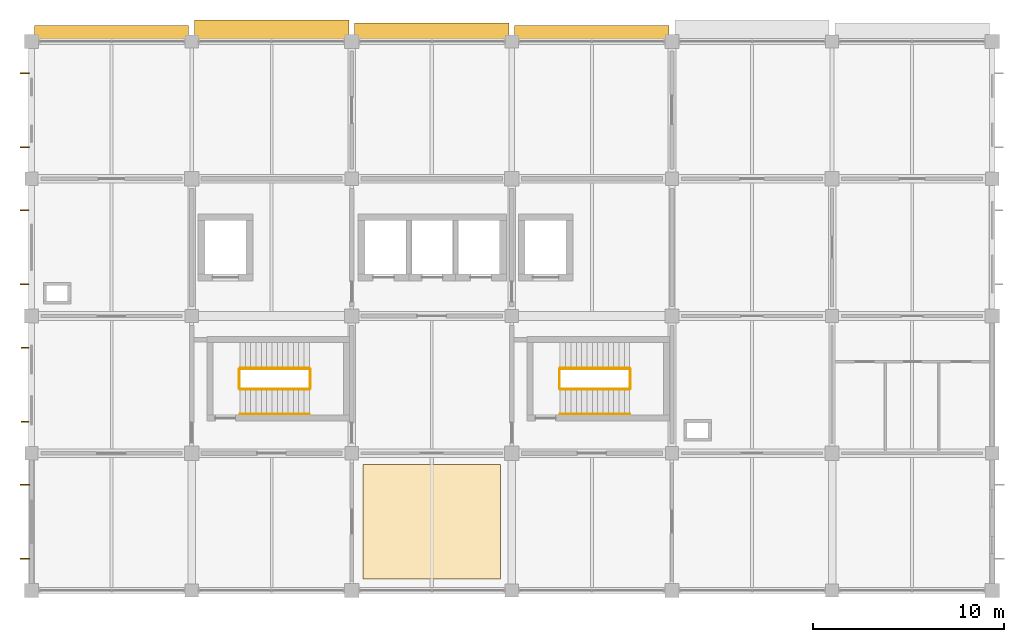
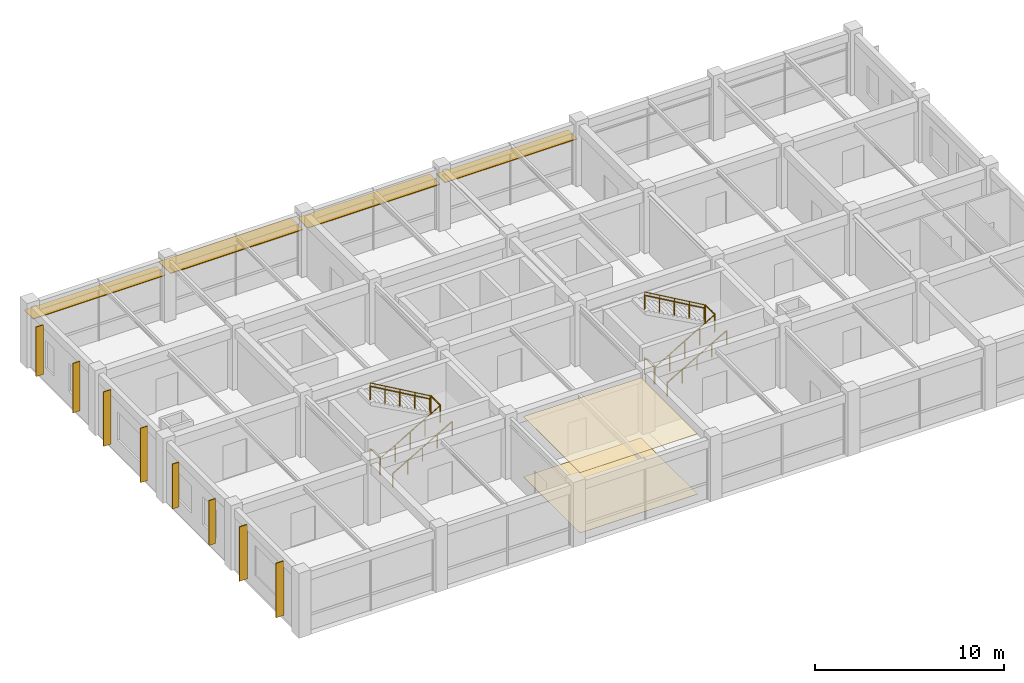
# One storey, part 12 of 13: 12 railings, 12 shading devices, 2 coverings.
"""IFC4 building model written with IfcOpenShell, lengths in metres."""

from ifc_helpers import new_model, si_unit, derived_unit, direction, frame, origin, origin_2d, place, context, subcontext, project, spatial, polyline, rectangle, circle, outline, extrude, material, layer, layer_set, type_object, element, save


model = new_model("IFC4")

# Units and contexts
model_context = context("Model", 3, precision=1e-05, world=origin(), true_north=direction((0.0, 1.0)))
body_context = subcontext(model_context, "Body", "Model", "MODEL_VIEW")
ifc_project = project(units=[si_unit("LENGTHUNIT", "METRE"), si_unit("AREAUNIT", "SQUARE_METRE"), si_unit("VOLUMEUNIT", "CUBIC_METRE"), si_unit("PLANEANGLEUNIT", "RADIAN"), si_unit("MASSUNIT", "GRAM", prefix="KILO"), derived_unit("THERMALTRANSMITTANCEUNIT", [(si_unit("MASSUNIT", "GRAM", prefix="KILO"), 1), (si_unit("TIMEUNIT", "SECOND"), -3), (si_unit("THERMODYNAMICTEMPERATUREUNIT", "KELVIN"), -1)])], contexts=[model_context])

# Site, building, storey
site_placement = place(None, origin())
site = spatial("IfcSite", under=ifc_project, at=site_placement, CompositionType="ELEMENT")
building_placement = place(site_placement, origin())
building = spatial("IfcBuilding", under=site, at=building_placement, Name="Veldstrom Oceanarium and Marine Research Institute", CompositionType="ELEMENT")
storey_placement = place(building_placement, frame((0.0, 0.0, 31.199951171875)))
storey = spatial("IfcBuildingStorey", under=building, at=storey_placement, Name="L06", CompositionType="ELEMENT", Elevation=31.199951171875)

# Coverings
ifc_material_1 = material(Name="Mineral-Fibre Acoustic Ceiling Tile", Category="gypsum")
ifc_layer_1 = layer(ifc_material_1, 0.02490234375)
ifc_layer_set_1 = layer_set([ifc_layer_1], Name="ARC-COV-CL1")
covering_type_1 = type_object("IfcCoveringType", Name="ARC-COV-CL1", PredefinedType="CEILING", material=ifc_layer_set_1)
covering_1_placement = place(storey_placement, frame((0.0, 0.0, 3.89501953125)))
element("IfcCovering", 1, at=covering_1_placement, inside=storey, type_object=covering_type_1, Name="Suspended Acoustic Ceiling L06", PredefinedType="CEILING", context=body_context, shape_type="SweptSolid", body=[
    extrude(outline(polyline([(84.60009765625, 43.800048828125), (91.800048828125, 43.800048828125), (91.800048828125, 49.800048828125), (84.60009765625, 49.800048828125), (84.60009765625, 43.800048828125)])), origin(), (0.0, 0.0, 1.0), 0.025146484375),
])
ifc_material_2 = material(Name="Polished Terrazzo and Marine Epoxy Flooring", Category="concrete")
ifc_layer_2 = layer(ifc_material_2, 0.02001953125)
ifc_layer_set_2 = layer_set([ifc_layer_2], Name="ARC-COV-FL1")
covering_type_2 = type_object("IfcCoveringType", Name="ARC-COV-FL1", PredefinedType="FLOORING", material=ifc_layer_set_2)
covering_2_placement = place(storey_placement, origin())
element("IfcCovering", 2, at=covering_2_placement, inside=storey, type_object=covering_type_2, Name="Terrazzo and Marine Epoxy Floor Finish L06", PredefinedType="FLOORING", context=body_context, shape_type="SweptSolid", body=[
    extrude(outline(polyline([(84.60009765625, 43.800048828125), (91.800048828125, 43.800048828125), (91.800048828125, 49.800048828125), (84.60009765625, 49.800048828125), (84.60009765625, 43.800048828125)])), origin(), (0.0, 0.0, 1.0), 0.02001953125),
])

# Railings
ifc_material_3 = material(Name="Duplex Stainless Steel Balustrade", Category="steel")
ifc_layer_3 = layer(ifc_material_3, 0.06005859375)
ifc_layer_set_3 = layer_set([ifc_layer_3], Name="ARC-RLG-GR1")
railing_type_1 = type_object("IfcRailingType", Name="ARC-RLG-GR1", PredefinedType="GUARDRAIL", material=ifc_layer_set_3)
railing_1_placement = place(storey_placement, frame((78.10009765625, 53.800048828125, 0.0)))
element("IfcRailing", 3, at=railing_1_placement, inside=storey, type_object=railing_type_1, Name="Stair Well Landing Guard ST1 L06", PredefinedType="GUARDRAIL", context=body_context, shape_type="SweptSolid", body=[
    extrude(circle(Radius=0.02392578125, at=origin_2d()), frame((0.0, 0.0, 1.09619140625), z_axis=(0.0, 1.0, 0.0), x_axis=(-1.0, 0.0, 0.0)), (0.0, 0.0, 1.0), 1.0),
    extrude(circle(Radius=0.02099609375, at=origin_2d()), origin(), (0.0, 0.0, 1.0), 1.072021484375),
    extrude(circle(Radius=0.02099609375, at=origin_2d()), frame((0.0, 1.0, 0.0)), (0.0, 0.0, 1.0), 1.072021484375),
])
railing_2_placement = place(storey_placement, frame((78.139892578125, 53.760009765625, 0.0)))
element("IfcRailing", 4, at=railing_2_placement, inside=storey, type_object=railing_type_1, Name="Stair Flight Guardrail ST1-L06-1", PredefinedType="GUARDRAIL", context=body_context, shape_type="SweptSolid", body=[
    extrude(circle(Radius=0.02392578125, at=origin_2d()), frame((0.0, 0.0, 1.09619140625), z_axis=(0.86618365172, 0.0, 0.499725806311), x_axis=(0.0, 1.0, 0.0)), (0.0, 0.0, 1.0), 4.202392578125),
    extrude(circle(Radius=0.02099609375, at=origin_2d()), origin(), (0.0, 0.0, 1.0), 1.072021484375),
    extrude(circle(Radius=0.02099609375, at=origin_2d()), frame((0.91015625, 0.0, 0.52490234375)), (0.0, 0.0, 1.0), 1.072021484375),
    extrude(circle(Radius=0.02099609375, at=origin_2d()), frame((1.820068359375, 0.0, 1.050048828125)), (0.0, 0.0, 1.0), 1.072021484375),
    extrude(circle(Radius=0.02099609375, at=origin_2d()), frame((2.72998046875, 0.0, 1.5751953125)), (0.0, 0.0, 1.0), 1.072021484375),
    extrude(circle(Radius=0.02099609375, at=origin_2d()), frame((3.64013671875, 0.0, 2.10009765625)), (0.0, 0.0, 1.0), 1.072021484375),
])
railing_3_placement = place(storey_placement, frame((81.820068359375, 53.800048828125, 2.10009765625)))
element("IfcRailing", 5, at=railing_3_placement, inside=storey, type_object=railing_type_1, Name="Stair Half-Landing Guardrail ST1-L06", PredefinedType="GUARDRAIL", context=body_context, shape_type="SweptSolid", body=[
    extrude(circle(Radius=0.02392578125, at=origin_2d()), frame((0.0, 0.0, 1.09619140625), z_axis=(0.0, 1.0, 0.0), x_axis=(-1.0, 0.0, 0.0)), (0.0, 0.0, 1.0), 1.0),
    extrude(circle(Radius=0.02099609375, at=origin_2d()), origin(), (0.0, 0.0, 1.0), 1.072021484375),
    extrude(circle(Radius=0.02099609375, at=origin_2d()), frame((0.0, 1.0, 0.0)), (0.0, 0.0, 1.0), 1.072021484375),
])
railing_4_placement = place(storey_placement, frame((81.780029296875, 54.840087890625, 2.10009765625)))
element("IfcRailing", 6, at=railing_4_placement, inside=storey, type_object=railing_type_1, Name="Stair Flight Guardrail ST1-L06-2", PredefinedType="GUARDRAIL", context=body_context, shape_type="SweptSolid", body=[
    extrude(circle(Radius=0.02392578125, at=origin_2d()), frame((0.0, 0.0, 1.09619140625), z_axis=(-0.866208797654, 0.0, 0.499682217882), x_axis=(0.0, -1.0, 0.0)), (0.0, 0.0, 1.0), 4.202392578125),
    extrude(circle(Radius=0.02099609375, at=origin_2d()), origin(), (0.0, 0.0, 1.0), 1.072021484375),
    extrude(circle(Radius=0.02099609375, at=origin_2d()), frame((-0.91015625, 0.0, 0.52490234375)), (0.0, 0.0, 1.0), 1.072021484375),
    extrude(circle(Radius=0.02099609375, at=origin_2d()), frame((-1.820068359375, 0.0, 1.0498046875)), (0.0, 0.0, 1.0), 1.072021484375),
    extrude(circle(Radius=0.02099609375, at=origin_2d()), frame((-2.72998046875, 0.0, 1.574951171875)), (0.0, 0.0, 1.0), 1.072021484375),
    extrude(circle(Radius=0.02099609375, at=origin_2d()), frame((-3.64013671875, 0.0, 2.099853515625)), (0.0, 0.0, 1.0), 1.072021484375),
])
railing_5_placement = place(storey_placement, frame((94.89990234375, 53.800048828125, 0.0)))
element("IfcRailing", 7, at=railing_5_placement, inside=storey, type_object=railing_type_1, Name="Stair Well Landing Guard ST2 L06", PredefinedType="GUARDRAIL", context=body_context, shape_type="SweptSolid", body=[
    extrude(circle(Radius=0.02392578125, at=origin_2d()), frame((0.0, 0.0, 1.09619140625), z_axis=(0.0, 1.0, 0.0), x_axis=(-1.0, 0.0, 0.0)), (0.0, 0.0, 1.0), 1.0),
    extrude(circle(Radius=0.02099609375, at=origin_2d()), origin(), (0.0, 0.0, 1.0), 1.072021484375),
    extrude(circle(Radius=0.02099609375, at=origin_2d()), frame((0.0, 1.0, 0.0)), (0.0, 0.0, 1.0), 1.072021484375),
])
railing_6_placement = place(storey_placement, frame((94.93994140625, 53.760009765625, 0.0)))
element("IfcRailing", 8, at=railing_6_placement, inside=storey, type_object=railing_type_1, Name="Stair Flight Guardrail ST2-L06-1", PredefinedType="GUARDRAIL", context=body_context, shape_type="SweptSolid", body=[
    extrude(circle(Radius=0.02392578125, at=origin_2d()), frame((0.0, 0.0, 1.09619140625), z_axis=(0.86618365172, 0.0, 0.499725806311), x_axis=(0.0, 1.0, 0.0)), (0.0, 0.0, 1.0), 4.202392578125),
    extrude(circle(Radius=0.02099609375, at=origin_2d()), origin(), (0.0, 0.0, 1.0), 1.072021484375),
    extrude(circle(Radius=0.02099609375, at=origin_2d()), frame((0.91015625, 0.0, 0.52490234375)), (0.0, 0.0, 1.0), 1.072021484375),
    extrude(circle(Radius=0.02099609375, at=origin_2d()), frame((1.820068359375, 0.0, 1.050048828125)), (0.0, 0.0, 1.0), 1.072021484375),
    extrude(circle(Radius=0.02099609375, at=origin_2d()), frame((2.72998046875, 0.0, 1.5751953125)), (0.0, 0.0, 1.0), 1.072021484375),
    extrude(circle(Radius=0.02099609375, at=origin_2d()), frame((3.64013671875, 0.0, 2.10009765625)), (0.0, 0.0, 1.0), 1.072021484375),
])
railing_7_placement = place(storey_placement, frame((98.6201171875, 53.800048828125, 2.10009765625)))
element("IfcRailing", 9, at=railing_7_placement, inside=storey, type_object=railing_type_1, Name="Stair Half-Landing Guardrail ST2-L06", PredefinedType="GUARDRAIL", context=body_context, shape_type="SweptSolid", body=[
    extrude(circle(Radius=0.02392578125, at=origin_2d()), frame((0.0, 0.0, 1.09619140625), z_axis=(0.0, 1.0, 0.0), x_axis=(-1.0, 0.0, 0.0)), (0.0, 0.0, 1.0), 1.0),
    extrude(circle(Radius=0.02099609375, at=origin_2d()), origin(), (0.0, 0.0, 1.0), 1.072021484375),
    extrude(circle(Radius=0.02099609375, at=origin_2d()), frame((0.0, 1.0, 0.0)), (0.0, 0.0, 1.0), 1.072021484375),
])
railing_8_placement = place(storey_placement, frame((98.580078125, 54.840087890625, 2.10009765625)))
element("IfcRailing", 10, at=railing_8_placement, inside=storey, type_object=railing_type_1, Name="Stair Flight Guardrail ST2-L06-2", PredefinedType="GUARDRAIL", context=body_context, shape_type="SweptSolid", body=[
    extrude(circle(Radius=0.02392578125, at=origin_2d()), frame((0.0, 0.0, 1.09619140625), z_axis=(-0.866208797654, 0.0, 0.499682217882), x_axis=(0.0, -1.0, 0.0)), (0.0, 0.0, 1.0), 4.202392578125),
    extrude(circle(Radius=0.02099609375, at=origin_2d()), origin(), (0.0, 0.0, 1.0), 1.072021484375),
    extrude(circle(Radius=0.02099609375, at=origin_2d()), frame((-0.91015625, 0.0, 0.52490234375)), (0.0, 0.0, 1.0), 1.072021484375),
    extrude(circle(Radius=0.02099609375, at=origin_2d()), frame((-1.820068359375, 0.0, 1.0498046875)), (0.0, 0.0, 1.0), 1.072021484375),
    extrude(circle(Radius=0.02099609375, at=origin_2d()), frame((-2.72998046875, 0.0, 1.574951171875)), (0.0, 0.0, 1.0), 1.072021484375),
    extrude(circle(Radius=0.02099609375, at=origin_2d()), frame((-3.64013671875, 0.0, 2.099853515625)), (0.0, 0.0, 1.0), 1.072021484375),
])
ifc_material_4 = material(Name="Brushed Stainless Steel Handrail", Category="steel")
ifc_layer_4 = layer(ifc_material_4, 0.050048828125)
ifc_layer_set_4 = layer_set([ifc_layer_4], Name="ARC-RLG-HR1")
railing_type_2 = type_object("IfcRailingType", Name="ARC-RLG-HR1", PredefinedType="HANDRAIL", material=ifc_layer_set_4)
railing_9_placement = place(storey_placement, frame((78.139892578125, 52.4599609375, 0.0)))
element("IfcRailing", 11, at=railing_9_placement, inside=storey, type_object=railing_type_2, Name="Stair Wall Handrail ST1-L06-1", PredefinedType="HANDRAIL", context=body_context, shape_type="SweptSolid", body=[
    extrude(circle(Radius=0.02392578125, at=origin_2d()), frame((0.0, 0.0, 0.8759765625), z_axis=(0.86618365172, 0.0, 0.499725806311), x_axis=(0.0, 1.0, 0.0)), (0.0, 0.0, 1.0), 4.202392578125),
    extrude(circle(Radius=0.02099609375, at=origin_2d()), origin(), (0.0, 0.0, 1.0), 0.851806640625),
    extrude(circle(Radius=0.02099609375, at=origin_2d()), frame((0.91015625, 0.0, 0.52490234375)), (0.0, 0.0, 1.0), 0.851806640625),
    extrude(circle(Radius=0.02099609375, at=origin_2d()), frame((1.820068359375, 0.0, 1.050048828125)), (0.0, 0.0, 1.0), 0.851806640625),
    extrude(circle(Radius=0.02099609375, at=origin_2d()), frame((2.72998046875, 0.0, 1.5751953125)), (0.0, 0.0, 1.0), 0.851806640625),
    extrude(circle(Radius=0.02099609375, at=origin_2d()), frame((3.64013671875, 0.0, 2.10009765625)), (0.0, 0.0, 1.0), 0.851806640625),
])
railing_10_placement = place(storey_placement, frame((81.780029296875, 54.860107421875, 2.10009765625)))
element("IfcRailing", 12, at=railing_10_placement, inside=storey, type_object=railing_type_2, Name="Stair Wall Handrail ST1-L06-2", PredefinedType="HANDRAIL", context=body_context, shape_type="SweptSolid", body=[
    extrude(circle(Radius=0.02392578125, at=origin_2d()), frame((0.0, 0.0, 0.8759765625), z_axis=(-0.866208797654, 0.0, 0.499682217882), x_axis=(0.0, -1.0, 0.0)), (0.0, 0.0, 1.0), 4.202392578125),
    extrude(circle(Radius=0.02099609375, at=origin_2d()), origin(), (0.0, 0.0, 1.0), 0.851806640625),
    extrude(circle(Radius=0.02099609375, at=origin_2d()), frame((-0.91015625, 0.0, 0.52490234375)), (0.0, 0.0, 1.0), 0.851806640625),
    extrude(circle(Radius=0.02099609375, at=origin_2d()), frame((-1.820068359375, 0.0, 1.0498046875)), (0.0, 0.0, 1.0), 0.851806640625),
    extrude(circle(Radius=0.02099609375, at=origin_2d()), frame((-2.72998046875, 0.0, 1.574951171875)), (0.0, 0.0, 1.0), 0.851806640625),
    extrude(circle(Radius=0.02099609375, at=origin_2d()), frame((-3.64013671875, 0.0, 2.099853515625)), (0.0, 0.0, 1.0), 0.851806640625),
])
railing_11_placement = place(storey_placement, frame((94.93994140625, 52.4599609375, 0.0)))
element("IfcRailing", 13, at=railing_11_placement, inside=storey, type_object=railing_type_2, Name="Stair Wall Handrail ST2-L06-1", PredefinedType="HANDRAIL", context=body_context, shape_type="SweptSolid", body=[
    extrude(circle(Radius=0.02392578125, at=origin_2d()), frame((0.0, 0.0, 0.8759765625), z_axis=(0.86618365172, 0.0, 0.499725806311), x_axis=(0.0, 1.0, 0.0)), (0.0, 0.0, 1.0), 4.202392578125),
    extrude(circle(Radius=0.02099609375, at=origin_2d()), origin(), (0.0, 0.0, 1.0), 0.851806640625),
    extrude(circle(Radius=0.02099609375, at=origin_2d()), frame((0.91015625, 0.0, 0.52490234375)), (0.0, 0.0, 1.0), 0.851806640625),
    extrude(circle(Radius=0.02099609375, at=origin_2d()), frame((1.820068359375, 0.0, 1.050048828125)), (0.0, 0.0, 1.0), 0.851806640625),
    extrude(circle(Radius=0.02099609375, at=origin_2d()), frame((2.72998046875, 0.0, 1.5751953125)), (0.0, 0.0, 1.0), 0.851806640625),
    extrude(circle(Radius=0.02099609375, at=origin_2d()), frame((3.64013671875, 0.0, 2.10009765625)), (0.0, 0.0, 1.0), 0.851806640625),
])
railing_12_placement = place(storey_placement, frame((98.580078125, 54.860107421875, 2.10009765625)))
element("IfcRailing", 14, at=railing_12_placement, inside=storey, type_object=railing_type_2, Name="Stair Wall Handrail ST2-L06-2", PredefinedType="HANDRAIL", context=body_context, shape_type="SweptSolid", body=[
    extrude(circle(Radius=0.02392578125, at=origin_2d()), frame((0.0, 0.0, 0.8759765625), z_axis=(-0.866208797654, 0.0, 0.499682217882), x_axis=(0.0, -1.0, 0.0)), (0.0, 0.0, 1.0), 4.202392578125),
    extrude(circle(Radius=0.02099609375, at=origin_2d()), origin(), (0.0, 0.0, 1.0), 0.851806640625),
    extrude(circle(Radius=0.02099609375, at=origin_2d()), frame((-0.91015625, 0.0, 0.52490234375)), (0.0, 0.0, 1.0), 0.851806640625),
    extrude(circle(Radius=0.02099609375, at=origin_2d()), frame((-1.820068359375, 0.0, 1.0498046875)), (0.0, 0.0, 1.0), 0.851806640625),
    extrude(circle(Radius=0.02099609375, at=origin_2d()), frame((-2.72998046875, 0.0, 1.574951171875)), (0.0, 0.0, 1.0), 0.851806640625),
    extrude(circle(Radius=0.02099609375, at=origin_2d()), frame((-3.64013671875, 0.0, 2.099853515625)), (0.0, 0.0, 1.0), 0.851806640625),
])

# Shading devices
ifc_material_5 = material(Name="Precast Terracotta Brise-Soleil Louvre", Category="masonry")
ifc_layer_5 = layer(ifc_material_5, 3.60009765625)
ifc_layer_set_5 = layer_set([ifc_layer_5], Name="ARC-SHD-BS01")
shading_device_type_1 = type_object("IfcShadingDeviceType", Name="ARC-SHD-BS01", PredefinedType="JALOUSIE", material=ifc_layer_set_5)
for number, where, z_axis, x_axis, name in (
    (15, (66.8349609375, 59.27001953125, 0.199951171875), (0.0, 0.0, 1.0), (1.0, 0.0, 0.0), "Terracotta Brise-Soleil Louvre L06-112"),
    (16, (66.8349609375, 63.155029296875, 0.199951171875), (0.0, 0.0, 1.0), (1.0, 0.0, 0.0), "Terracotta Brise-Soleil Louvre L06-112"),
):
    element("IfcShadingDevice", number, at=place(storey_placement, frame(where, z_axis=z_axis, x_axis=x_axis)), inside=storey, type_object=shading_device_type_1, Name=name, PredefinedType="JALOUSIE", context=body_context, shape_type="SweptSolid", body=[
        extrude(rectangle(XDim=0.449951171875, YDim=0.06005859375, at=origin_2d()), origin(), (0.0, 0.0, 1.0), 3.52001953125),
    ])
ifc_material_6 = material(Name="Precast Terracotta Brise-Soleil Louvre", Category="masonry")
ifc_layer_6 = layer(ifc_material_6, 3.199951171875)
ifc_layer_set_6 = layer_set([ifc_layer_6], Name="ARC-SHD-BS02")
shading_device_type_2 = type_object("IfcShadingDeviceType", Name="ARC-SHD-BS02", PredefinedType="JALOUSIE", material=ifc_layer_set_6)
for number, where, z_axis, x_axis, name in (
    (17, (66.844970703125, 66.445068359375, 0.35986328125), (0.0, 0.0, 1.0), (1.0, 0.0, 0.0), "Terracotta Brise-Soleil Louvre L06-113"),
    (18, (66.844970703125, 70.330078125, 0.35986328125), (0.0, 0.0, 1.0), (1.0, 0.0, 0.0), "Terracotta Brise-Soleil Louvre L06-113"),
):
    element("IfcShadingDevice", number, at=place(storey_placement, frame(where, z_axis=z_axis, x_axis=x_axis)), inside=storey, type_object=shading_device_type_2, Name=name, PredefinedType="JALOUSIE", context=body_context, shape_type="SweptSolid", body=[
        extrude(rectangle(XDim=0.449951171875, YDim=0.06005859375, at=origin_2d()), origin(), (0.0, 0.0, 1.0), 3.199951171875),
    ])
ifc_material_7 = material(Name="Precast Terracotta Brise-Soleil Louvre", Category="masonry")
ifc_layer_7 = layer(ifc_material_7, 4.199951171875)
ifc_layer_set_7 = layer_set([ifc_layer_7], Name="ARC-SHD-BS03")
shading_device_type_3 = type_object("IfcShadingDeviceType", Name="ARC-SHD-BS03", PredefinedType="JALOUSIE", material=ifc_layer_set_7)
for number, where, z_axis, x_axis, name in (
    (19, (66.847412109375, 44.8701171875, 0.199951171875), (0.0, 0.0, 1.0), (1.0, 0.0, 0.0), "Terracotta Brise-Soleil Louvre L06-110"),
    (20, (66.847412109375, 48.7548828125, 0.199951171875), (0.0, 0.0, 1.0), (1.0, 0.0, 0.0), "Terracotta Brise-Soleil Louvre L06-110"),
):
    element("IfcShadingDevice", number, at=place(storey_placement, frame(where, z_axis=z_axis, x_axis=x_axis)), inside=storey, type_object=shading_device_type_3, Name=name, PredefinedType="JALOUSIE", context=body_context, shape_type="SweptSolid", body=[
        extrude(rectangle(XDim=0.5, YDim=0.06494140625, at=origin_2d()), origin(), (0.0, 0.0, 1.0), 3.52001953125),
    ])
ifc_material_8 = material(Name="Precast Terracotta Brise-Soleil Louvre", Category="masonry")
ifc_layer_8 = layer(ifc_material_8, 2.89990234375)
ifc_layer_set_8 = layer_set([ifc_layer_8], Name="ARC-SHD-BS04")
shading_device_type_4 = type_object("IfcShadingDeviceType", Name="ARC-SHD-BS04", PredefinedType="JALOUSIE", material=ifc_layer_set_8)
for number, where, z_axis, x_axis, name in (
    (21, (66.85009765625, 52.044921875, 0.510009765625), (0.0, 0.0, 1.0), (1.0, 0.0, 0.0), "Terracotta Brise-Soleil Louvre L06-111"),
    (22, (66.85009765625, 55.929931640625, 0.510009765625), (0.0, 0.0, 1.0), (1.0, 0.0, 0.0), "Terracotta Brise-Soleil Louvre L06-111"),
):
    element("IfcShadingDevice", number, at=place(storey_placement, frame(where, z_axis=z_axis, x_axis=x_axis)), inside=storey, type_object=shading_device_type_4, Name=name, PredefinedType="JALOUSIE", context=body_context, shape_type="SweptSolid", body=[
        extrude(rectangle(XDim=0.39990234375, YDim=0.054931640625, at=origin_2d()), origin(), (0.0, 0.0, 1.0), 2.89990234375),
    ])
ifc_material_9 = material(Name="Perforated Anodised Aluminium Louvre", Category="aluminium")
ifc_layer_9 = layer(ifc_material_9, 0.054931640625)
ifc_layer_set_9 = layer_set([ifc_layer_9], Name="ARC-SHD-SH01")
shading_device_type_5 = type_object("IfcShadingDeviceType", Name="ARC-SHD-SH01", PredefinedType="AWNING", material=ifc_layer_set_9)
shading_device_1_placement = place(storey_placement, frame((79.800048828125, 72.5048828125, 2.85009765625), z_axis=(0.0, 0.0, 1.0), x_axis=(1.0, 0.0, 0.0)))
element("IfcShadingDevice", 23, at=shading_device_1_placement, inside=storey, type_object=shading_device_type_5, Name="North Solar Canopy Louvre L06-10", PredefinedType="AWNING", context=body_context, shape_type="SweptSolid", body=[
    extrude(rectangle(XDim=8.10009765625, YDim=1.25, at=origin_2d()), origin(), (0.0, 0.0, 1.0), 0.054931640625),
])
ifc_material_10 = material(Name="Perforated Anodised Aluminium Louvre", Category="aluminium")
ifc_layer_10 = layer(ifc_material_10, 0.050048828125)
ifc_layer_set_10 = layer_set([ifc_layer_10], Name="ARC-SHD-SH02")
shading_device_type_6 = type_object("IfcShadingDeviceType", Name="ARC-SHD-SH02", PredefinedType="AWNING", material=ifc_layer_set_10)
shading_device_2_placement = place(storey_placement, frame((88.199951171875, 72.429931640625, 2.85009765625), z_axis=(0.0, 0.0, 1.0), x_axis=(1.0, 0.0, 0.0)))
element("IfcShadingDevice", 24, at=shading_device_2_placement, inside=storey, type_object=shading_device_type_6, Name="North Solar Canopy Louvre L06-11", PredefinedType="AWNING", context=body_context, shape_type="SweptSolid", body=[
    extrude(rectangle(XDim=8.10009765625, YDim=1.10009765625, at=origin_2d()), origin(), (0.0, 0.0, 1.0), 0.050048828125),
])
ifc_material_11 = material(Name="Perforated Anodised Aluminium Louvre", Category="aluminium")
ifc_layer_11 = layer(ifc_material_11, 0.044921875)
ifc_layer_set_11 = layer_set([ifc_layer_11], Name="ARC-SHD-SH03")
shading_device_type_7 = type_object("IfcShadingDeviceType", Name="ARC-SHD-SH03", PredefinedType="AWNING", material=ifc_layer_set_11)
for number, where, z_axis, x_axis, name in (
    (25, (71.39990234375, 72.35498046875, 2.85009765625), (0.0, 0.0, 1.0), (1.0, 0.0, 0.0), "North Solar Canopy Louvre L06-9"),
    (26, (96.60009765625, 72.35498046875, 2.85009765625), (0.0, 0.0, 1.0), (1.0, 0.0, 0.0), "North Solar Canopy Louvre L06-12"),
):
    element("IfcShadingDevice", number, at=place(storey_placement, frame(where, z_axis=z_axis, x_axis=x_axis)), inside=storey, type_object=shading_device_type_7, Name=name, PredefinedType="AWNING", context=body_context, shape_type="SweptSolid", body=[
        extrude(rectangle(XDim=8.10009765625, YDim=0.949951171875, at=origin_2d()), origin(), (0.0, 0.0, 1.0), 0.044921875),
    ])

save(model, "model.ifc")
